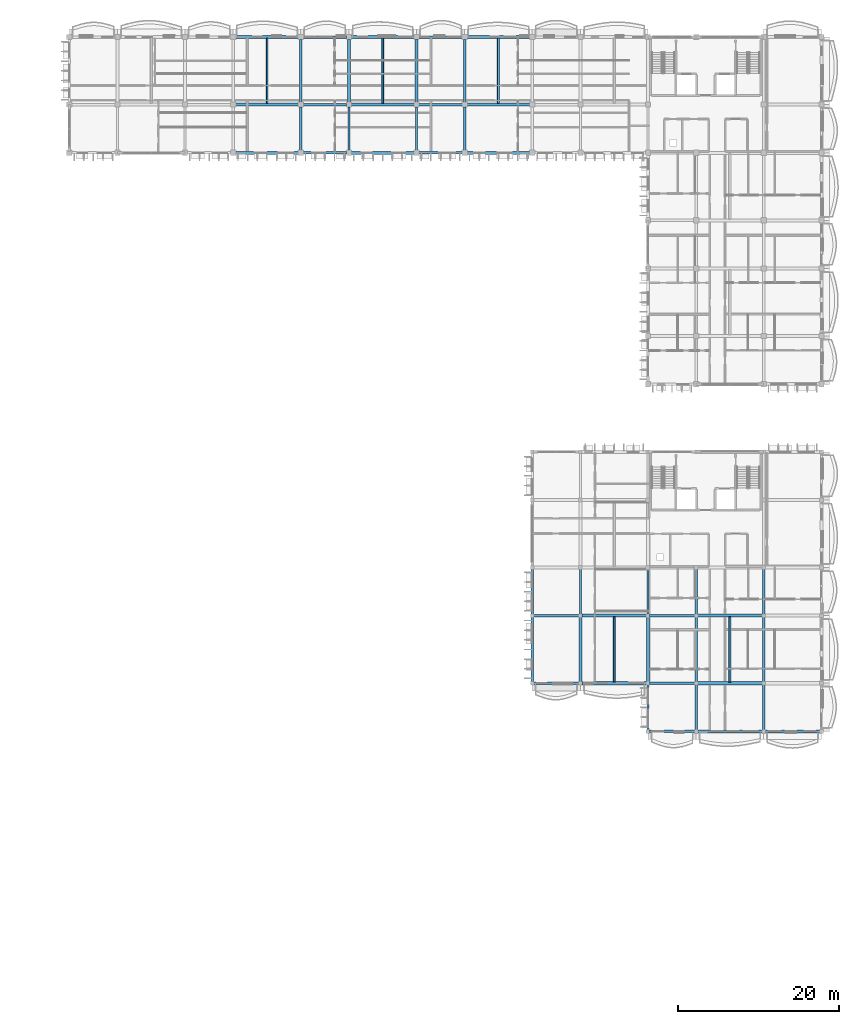
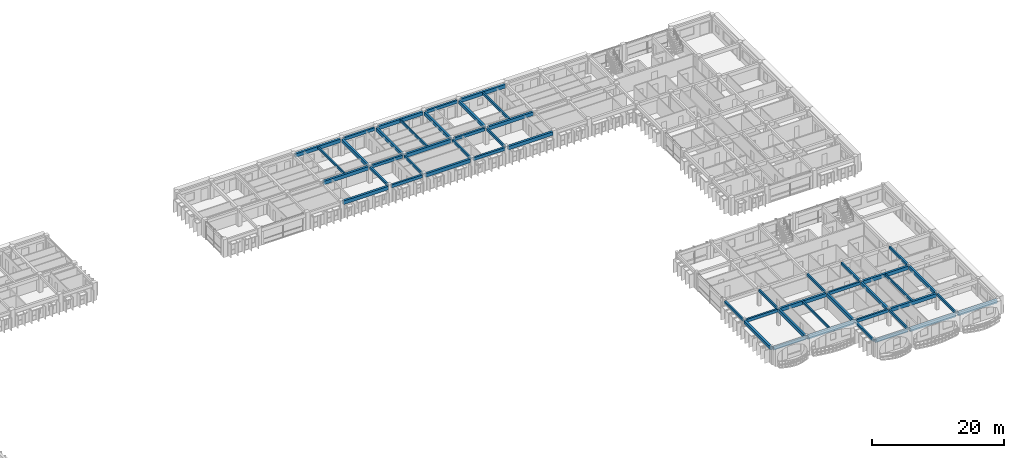
# One storey, part 12 of 76: 52 beams.
"""IFC4 building model written with IfcOpenShell, lengths in metres."""

from ifc_helpers import new_model, si_unit, direction, frame, origin, origin_2d, place, context, subcontext, project, spatial, rectangle, extrude, material, material_profile, profile_set, type_object, element, save


model = new_model("IFC4")

# Units and contexts
model_context = context("Model", 3, precision=1e-05, world=origin(), true_north=direction((0.0, 1.0)))
body_context = subcontext(model_context, "Body", "Model", "MODEL_VIEW")
ifc_project = project(units=[si_unit("LENGTHUNIT", "METRE"), si_unit("AREAUNIT", "SQUARE_METRE"), si_unit("VOLUMEUNIT", "CUBIC_METRE"), si_unit("PLANEANGLEUNIT", "RADIAN"), si_unit("MASSUNIT", "GRAM", prefix="KILO"), si_unit("THERMODYNAMICTEMPERATUREUNIT", "KELVIN")], contexts=[model_context])

# Site, building, storey
site_placement = place(None, origin())
site = spatial("IfcSite", under=ifc_project, at=site_placement, CompositionType="ELEMENT")
building_placement = place(site_placement, origin())
building = spatial("IfcBuilding", under=site, at=building_placement, Name="Thalorik Housing Commons", CompositionType="ELEMENT")
storey_placement = place(building_placement, frame((0.0, 0.0, 18.0)))
storey = spatial("IfcBuildingStorey", under=building, at=storey_placement, Name="L05", CompositionType="ELEMENT", Elevation=18.0)

# Beams
ifc_material = material(Name="Precast concrete C40/50", Category="concrete")
ifc_material_profile_1 = material_profile(ifc_material, rectangle(XDim=0.280029296875, YDim=0.449951171875, at=origin_2d()), Name="PC 280x450", Category="concrete")
ifc_profile_set_1 = profile_set([ifc_material_profile_1], Name="Precast concrete C40/50")
beam_type_1 = type_object("IfcBeamType", Name="STR-BM-PC280x450", PredefinedType="BEAM", material=ifc_profile_set_1)
for number, where, z_axis, x_axis, name in (
    (1, (109.199951171875, 109.47509765625, 2.81494140625), (0.0, 1.0, 0.0), (-1.0, 0.0, 0.0), "L05 Beam B-450"),
    (2, (115.199951171875, 109.47509765625, 2.81494140625), (0.0, 1.0, 0.0), (-1.0, 0.0, 0.0), "L05 Beam B-450"),
    (3, (123.60009765625, 109.47509765625, 2.81494140625), (0.0, 1.0, 0.0), (-1.0, 0.0, 0.0), "L05 Beam B-450"),
    (4, (129.60009765625, 109.47509765625, 2.81494140625), (0.0, 1.0, 0.0), (-1.0, 0.0, 0.0), "L05 Beam B-450"),
):
    element("IfcBeam", number, at=place(storey_placement, frame(where, z_axis=z_axis, x_axis=x_axis)), inside=storey, type_object=beam_type_1, Name=name, PredefinedType="BEAM", context=body_context, shape_type="SweptSolid", body=[
        extrude(rectangle(XDim=0.280029296875, YDim=0.449951171875, at=origin_2d()), origin(), (0.0, 0.0, 1.0), 5.449951171875),
    ])
for number, where, z_axis, x_axis, name in (
    (5, (138.0, 51.77490234375, 2.81494140625), (0.0, 1.0, 0.0), (-1.0, 0.0, 0.0), "L05 Beam B-450"),
    (6, (144.0, 51.77490234375, 2.81494140625), (0.0, 1.0, 0.0), (-1.0, 0.0, 0.0), "L05 Beam B-450"),
):
    element("IfcBeam", number, at=place(storey_placement, frame(where, z_axis=z_axis, x_axis=x_axis)), inside=storey, type_object=beam_type_1, Name=name, PredefinedType="BEAM", context=body_context, shape_type="SweptSolid", body=[
        extrude(rectangle(XDim=0.280029296875, YDim=0.449951171875, at=origin_2d()), origin(), (0.0, 0.0, 1.0), 5.650146484375),
    ])
beam_1_placement = place(storey_placement, frame((152.39990234375, 37.375, 2.81494140625), z_axis=(0.0, 1.0, 0.0), x_axis=(-1.0, 0.0, 0.0)))
element("IfcBeam", 7, at=beam_1_placement, inside=storey, type_object=beam_type_1, Name="L05 Beam B-450", PredefinedType="BEAM", context=body_context, shape_type="SweptSolid", body=[
    extrude(rectangle(XDim=0.280029296875, YDim=0.449951171875, at=origin_2d()), origin(), (0.0, 0.0, 1.0), 5.64990234375),
])
beam_2_placement = place(storey_placement, frame((152.39990234375, 51.77490234375, 2.81494140625), z_axis=(0.0, 1.0, 0.0), x_axis=(-1.0, 0.0, 0.0)))
element("IfcBeam", 8, at=beam_2_placement, inside=storey, type_object=beam_type_1, Name="L05 Beam B-450", PredefinedType="BEAM", context=body_context, shape_type="SweptSolid", body=[
    extrude(rectangle(XDim=0.280029296875, YDim=0.449951171875, at=origin_2d()), origin(), (0.0, 0.0, 1.0), 5.650146484375),
])
beam_3_placement = place(storey_placement, frame((158.39990234375, 37.375, 2.81494140625), z_axis=(0.0, 1.0, 0.0), x_axis=(-1.0, 0.0, 0.0)))
element("IfcBeam", 9, at=beam_3_placement, inside=storey, type_object=beam_type_1, Name="L05 Beam B-450", PredefinedType="BEAM", context=body_context, shape_type="SweptSolid", body=[
    extrude(rectangle(XDim=0.280029296875, YDim=0.449951171875, at=origin_2d()), origin(), (0.0, 0.0, 1.0), 5.64990234375),
])
beam_4_placement = place(storey_placement, frame((158.39990234375, 51.77490234375, 2.81494140625), z_axis=(0.0, 1.0, 0.0), x_axis=(-1.0, 0.0, 0.0)))
element("IfcBeam", 10, at=beam_4_placement, inside=storey, type_object=beam_type_1, Name="L05 Beam B-450", PredefinedType="BEAM", context=body_context, shape_type="SweptSolid", body=[
    extrude(rectangle(XDim=0.280029296875, YDim=0.449951171875, at=origin_2d()), origin(), (0.0, 0.0, 1.0), 5.650146484375),
])
beam_5_placement = place(storey_placement, frame((166.800048828125, 37.375, 2.81494140625), z_axis=(0.0, 1.0, 0.0), x_axis=(-1.0, 0.0, 0.0)))
element("IfcBeam", 11, at=beam_5_placement, inside=storey, type_object=beam_type_1, Name="L05 Beam B-450", PredefinedType="BEAM", context=body_context, shape_type="SweptSolid", body=[
    extrude(rectangle(XDim=0.280029296875, YDim=0.449951171875, at=origin_2d()), origin(), (0.0, 0.0, 1.0), 5.64990234375),
])
beam_6_placement = place(storey_placement, frame((166.800048828125, 51.77490234375, 2.81494140625), z_axis=(0.0, 1.0, 0.0), x_axis=(-1.0, 0.0, 0.0)))
element("IfcBeam", 12, at=beam_6_placement, inside=storey, type_object=beam_type_1, Name="L05 Beam B-450", PredefinedType="BEAM", context=body_context, shape_type="SweptSolid", body=[
    extrude(rectangle(XDim=0.280029296875, YDim=0.449951171875, at=origin_2d()), origin(), (0.0, 0.0, 1.0), 5.650146484375),
])
ifc_material_profile_2 = material_profile(ifc_material, rectangle(XDim=0.320068359375, YDim=0.550048828125, at=origin_2d()), Name="PC 320x550", Category="concrete")
ifc_profile_set_2 = profile_set([ifc_material_profile_2], Name="Precast concrete C40/50")
beam_type_2 = type_object("IfcBeamType", Name="STR-BM-PC320x550", PredefinedType="BEAM", material=ifc_profile_set_2)
beam_7_placement = place(storey_placement, frame((152.574951171875, 37.199951171875, 2.764892578125), z_axis=(1.0, 0.0, 0.0), x_axis=(0.0, 1.0, 0.0)))
element("IfcBeam", 13, at=beam_7_placement, inside=storey, type_object=beam_type_2, Name="L05 Beam B-550", PredefinedType="BEAM", context=body_context, shape_type="SweptSolid", body=[
    extrude(rectangle(XDim=0.320068359375, YDim=0.550048828125, at=origin_2d()), origin(), (0.0, 0.0, 1.0), 5.650146484375),
])
beam_8_placement = place(storey_placement, frame((138.175048828125, 43.199951171875, 2.764892578125), z_axis=(1.0, 0.0, 0.0), x_axis=(0.0, 1.0, 0.0)))
element("IfcBeam", 14, at=beam_8_placement, inside=storey, type_object=beam_type_2, Name="L05 Beam B-550", PredefinedType="BEAM", context=body_context, shape_type="SweptSolid", body=[
    extrude(rectangle(XDim=0.320068359375, YDim=0.550048828125, at=origin_2d()), origin(), (0.0, 0.0, 1.0), 5.64990234375),
])
beam_9_placement = place(storey_placement, frame((152.574951171875, 43.199951171875, 2.764892578125), z_axis=(1.0, 0.0, 0.0), x_axis=(0.0, 1.0, 0.0)))
element("IfcBeam", 15, at=beam_9_placement, inside=storey, type_object=beam_type_2, Name="L05 Beam B-550", PredefinedType="BEAM", context=body_context, shape_type="SweptSolid", body=[
    extrude(rectangle(XDim=0.320068359375, YDim=0.550048828125, at=origin_2d()), origin(), (0.0, 0.0, 1.0), 5.650146484375),
])
beam_10_placement = place(storey_placement, frame((138.175048828125, 51.60009765625, 2.764892578125), z_axis=(1.0, 0.0, 0.0), x_axis=(0.0, 1.0, 0.0)))
element("IfcBeam", 16, at=beam_10_placement, inside=storey, type_object=beam_type_2, Name="L05 Beam B-550", PredefinedType="BEAM", context=body_context, shape_type="SweptSolid", body=[
    extrude(rectangle(XDim=0.320068359375, YDim=0.550048828125, at=origin_2d()), origin(), (0.0, 0.0, 1.0), 5.64990234375),
])
beam_11_placement = place(storey_placement, frame((152.574951171875, 51.60009765625, 2.764892578125), z_axis=(1.0, 0.0, 0.0), x_axis=(0.0, 1.0, 0.0)))
element("IfcBeam", 17, at=beam_11_placement, inside=storey, type_object=beam_type_2, Name="L05 Beam B-550", PredefinedType="BEAM", context=body_context, shape_type="SweptSolid", body=[
    extrude(rectangle(XDim=0.320068359375, YDim=0.550048828125, at=origin_2d()), origin(), (0.0, 0.0, 1.0), 5.650146484375),
])
for number, where, z_axis, x_axis, name in (
    (18, (109.47509765625, 109.199951171875, 2.764892578125), (1.0, 0.0, 0.0), (0.0, 1.0, 0.0), "L05 Beam B-550"),
    (19, (123.875, 109.199951171875, 2.764892578125), (1.0, 0.0, 0.0), (0.0, 1.0, 0.0), "L05 Beam B-550"),
    (20, (109.47509765625, 115.199951171875, 2.764892578125), (1.0, 0.0, 0.0), (0.0, 1.0, 0.0), "L05 Beam B-550"),
    (21, (123.875, 115.199951171875, 2.764892578125), (1.0, 0.0, 0.0), (0.0, 1.0, 0.0), "L05 Beam B-550"),
    (22, (109.47509765625, 123.60009765625, 2.764892578125), (1.0, 0.0, 0.0), (0.0, 1.0, 0.0), "L05 Beam B-550"),
    (23, (123.875, 123.60009765625, 2.764892578125), (1.0, 0.0, 0.0), (0.0, 1.0, 0.0), "L05 Beam B-550"),
):
    element("IfcBeam", number, at=place(storey_placement, frame(where, z_axis=z_axis, x_axis=x_axis)), inside=storey, type_object=beam_type_2, Name=name, PredefinedType="BEAM", context=body_context, shape_type="SweptSolid", body=[
        extrude(rectangle(XDim=0.320068359375, YDim=0.550048828125, at=origin_2d()), origin(), (0.0, 0.0, 1.0), 5.449951171875),
    ])
ifc_material_profile_3 = material_profile(ifc_material, rectangle(XDim=0.35009765625, YDim=0.60009765625, at=origin_2d()), Name="PC 350x600", Category="concrete")
ifc_profile_set_3 = profile_set([ifc_material_profile_3], Name="Precast concrete C40/50")
beam_type_3 = type_object("IfcBeamType", Name="STR-BM-PC350x600", PredefinedType="BEAM", material=ifc_profile_set_3)
for number, where, z_axis, x_axis, name in (
    (24, (109.199951171875, 115.47509765625, 2.739990234375), (0.0, 1.0, 0.0), (-1.0, 0.0, 0.0), "L05 Beam B-600"),
    (25, (115.199951171875, 115.47509765625, 2.739990234375), (0.0, 1.0, 0.0), (-1.0, 0.0, 0.0), "L05 Beam B-600"),
    (26, (123.60009765625, 115.47509765625, 2.739990234375), (0.0, 1.0, 0.0), (-1.0, 0.0, 0.0), "L05 Beam B-600"),
    (27, (129.60009765625, 115.47509765625, 2.739990234375), (0.0, 1.0, 0.0), (-1.0, 0.0, 0.0), "L05 Beam B-600"),
):
    element("IfcBeam", number, at=place(storey_placement, frame(where, z_axis=z_axis, x_axis=x_axis)), inside=storey, type_object=beam_type_3, Name=name, PredefinedType="BEAM", context=body_context, shape_type="SweptSolid", body=[
        extrude(rectangle(XDim=0.35009765625, YDim=0.60009765625, at=origin_2d()), origin(), (0.0, 0.0, 1.0), 7.849853515625),
    ])
for number, where, z_axis, x_axis, name in (
    (28, (138.0, 43.375, 2.739990234375), (0.0, 1.0, 0.0), (-1.0, 0.0, 0.0), "L05 Beam B-600"),
    (29, (144.0, 43.375, 2.739990234375), (0.0, 1.0, 0.0), (-1.0, 0.0, 0.0), "L05 Beam B-600"),
    (30, (152.39990234375, 43.375, 2.739990234375), (0.0, 1.0, 0.0), (-1.0, 0.0, 0.0), "L05 Beam B-600"),
    (31, (158.39990234375, 43.375, 2.739990234375), (0.0, 1.0, 0.0), (-1.0, 0.0, 0.0), "L05 Beam B-600"),
    (32, (166.800048828125, 43.375, 2.739990234375), (0.0, 1.0, 0.0), (-1.0, 0.0, 0.0), "L05 Beam B-600"),
):
    element("IfcBeam", number, at=place(storey_placement, frame(where, z_axis=z_axis, x_axis=x_axis)), inside=storey, type_object=beam_type_3, Name=name, PredefinedType="BEAM", context=body_context, shape_type="SweptSolid", body=[
        extrude(rectangle(XDim=0.35009765625, YDim=0.60009765625, at=origin_2d()), origin(), (0.0, 0.0, 1.0), 8.050048828125),
    ])
ifc_material_profile_4 = material_profile(ifc_material, rectangle(XDim=0.3798828125, YDim=0.64990234375, at=origin_2d()), Name="PC 380x650", Category="concrete")
ifc_profile_set_4 = profile_set([ifc_material_profile_4], Name="Precast concrete C40/50")
beam_type_4 = type_object("IfcBeamType", Name="STR-BM-PC380x650", PredefinedType="BEAM", material=ifc_profile_set_4)
beam_12_placement = place(storey_placement, frame((158.574951171875, 37.199951171875, 2.715087890625), z_axis=(1.0, 0.0, 0.0), x_axis=(0.0, 1.0, 0.0)))
element("IfcBeam", 33, at=beam_12_placement, inside=storey, type_object=beam_type_4, Name="L05 Beam B-650", PredefinedType="BEAM", context=body_context, shape_type="SweptSolid", body=[
    extrude(rectangle(XDim=0.3798828125, YDim=0.64990234375, at=origin_2d()), origin(), (0.0, 0.0, 1.0), 8.050048828125),
])
beam_13_placement = place(storey_placement, frame((166.97509765625, 37.199951171875, 2.715087890625), z_axis=(1.0, 0.0, 0.0), x_axis=(0.0, 1.0, 0.0)))
element("IfcBeam", 34, at=beam_13_placement, inside=storey, type_object=beam_type_4, Name="L05 Beam B-650", PredefinedType="BEAM", context=body_context, shape_type="SweptSolid", body=[
    extrude(rectangle(XDim=0.3798828125, YDim=0.64990234375, at=origin_2d()), origin(), (0.0, 0.0, 1.0), 6.849853515625),
])
for number, where, z_axis, x_axis, name in (
    (35, (144.175048828125, 43.199951171875, 2.715087890625), (1.0, 0.0, 0.0), (0.0, 1.0, 0.0), "L05 Beam B-650"),
    (36, (158.574951171875, 43.199951171875, 2.715087890625), (1.0, 0.0, 0.0), (0.0, 1.0, 0.0), "L05 Beam B-650"),
    (37, (144.175048828125, 51.60009765625, 2.715087890625), (1.0, 0.0, 0.0), (0.0, 1.0, 0.0), "L05 Beam B-650"),
    (38, (158.574951171875, 51.60009765625, 2.715087890625), (1.0, 0.0, 0.0), (0.0, 1.0, 0.0), "L05 Beam B-650"),
):
    element("IfcBeam", number, at=place(storey_placement, frame(where, z_axis=z_axis, x_axis=x_axis)), inside=storey, type_object=beam_type_4, Name=name, PredefinedType="BEAM", context=body_context, shape_type="SweptSolid", body=[
        extrude(rectangle(XDim=0.3798828125, YDim=0.64990234375, at=origin_2d()), origin(), (0.0, 0.0, 1.0), 8.050048828125),
    ])
beam_14_placement = place(storey_placement, frame((101.074951171875, 109.199951171875, 2.715087890625), z_axis=(1.0, 0.0, 0.0), x_axis=(0.0, 1.0, 0.0)))
element("IfcBeam", 39, at=beam_14_placement, inside=storey, type_object=beam_type_4, Name="L05 Beam B-650", PredefinedType="BEAM", context=body_context, shape_type="SweptSolid", body=[
    extrude(rectangle(XDim=0.3798828125, YDim=0.64990234375, at=origin_2d()), origin(), (0.0, 0.0, 1.0), 7.85009765625),
])
beam_15_placement = place(storey_placement, frame((115.47509765625, 109.199951171875, 2.715087890625), z_axis=(1.0, 0.0, 0.0), x_axis=(0.0, 1.0, 0.0)))
element("IfcBeam", 40, at=beam_15_placement, inside=storey, type_object=beam_type_4, Name="L05 Beam B-650", PredefinedType="BEAM", context=body_context, shape_type="SweptSolid", body=[
    extrude(rectangle(XDim=0.3798828125, YDim=0.64990234375, at=origin_2d()), origin(), (0.0, 0.0, 1.0), 7.849853515625),
])
for number, where, z_axis, x_axis, name in (
    (41, (129.875, 109.199951171875, 2.715087890625), (1.0, 0.0, 0.0), (0.0, 1.0, 0.0), "L05 Beam B-650"),
    (42, (101.074951171875, 115.199951171875, 2.715087890625), (1.0, 0.0, 0.0), (0.0, 1.0, 0.0), "L05 Beam B-650"),
):
    element("IfcBeam", number, at=place(storey_placement, frame(where, z_axis=z_axis, x_axis=x_axis)), inside=storey, type_object=beam_type_4, Name=name, PredefinedType="BEAM", context=body_context, shape_type="SweptSolid", body=[
        extrude(rectangle(XDim=0.3798828125, YDim=0.64990234375, at=origin_2d()), origin(), (0.0, 0.0, 1.0), 7.85009765625),
    ])
beam_16_placement = place(storey_placement, frame((115.47509765625, 115.199951171875, 2.715087890625), z_axis=(1.0, 0.0, 0.0), x_axis=(0.0, 1.0, 0.0)))
element("IfcBeam", 43, at=beam_16_placement, inside=storey, type_object=beam_type_4, Name="L05 Beam B-650", PredefinedType="BEAM", context=body_context, shape_type="SweptSolid", body=[
    extrude(rectangle(XDim=0.3798828125, YDim=0.64990234375, at=origin_2d()), origin(), (0.0, 0.0, 1.0), 7.849853515625),
])
for number, where, z_axis, x_axis, name in (
    (44, (129.875, 115.199951171875, 2.715087890625), (1.0, 0.0, 0.0), (0.0, 1.0, 0.0), "L05 Beam B-650"),
    (45, (101.074951171875, 123.60009765625, 2.715087890625), (1.0, 0.0, 0.0), (0.0, 1.0, 0.0), "L05 Beam B-650"),
):
    element("IfcBeam", number, at=place(storey_placement, frame(where, z_axis=z_axis, x_axis=x_axis)), inside=storey, type_object=beam_type_4, Name=name, PredefinedType="BEAM", context=body_context, shape_type="SweptSolid", body=[
        extrude(rectangle(XDim=0.3798828125, YDim=0.64990234375, at=origin_2d()), origin(), (0.0, 0.0, 1.0), 7.85009765625),
    ])
beam_17_placement = place(storey_placement, frame((115.47509765625, 123.60009765625, 2.715087890625), z_axis=(1.0, 0.0, 0.0), x_axis=(0.0, 1.0, 0.0)))
element("IfcBeam", 46, at=beam_17_placement, inside=storey, type_object=beam_type_4, Name="L05 Beam B-650", PredefinedType="BEAM", context=body_context, shape_type="SweptSolid", body=[
    extrude(rectangle(XDim=0.3798828125, YDim=0.64990234375, at=origin_2d()), origin(), (0.0, 0.0, 1.0), 7.849853515625),
])
beam_18_placement = place(storey_placement, frame((129.875, 123.60009765625, 2.715087890625), z_axis=(1.0, 0.0, 0.0), x_axis=(0.0, 1.0, 0.0)))
element("IfcBeam", 47, at=beam_18_placement, inside=storey, type_object=beam_type_4, Name="L05 Beam B-650", PredefinedType="BEAM", context=body_context, shape_type="SweptSolid", body=[
    extrude(rectangle(XDim=0.3798828125, YDim=0.64990234375, at=origin_2d()), origin(), (0.0, 0.0, 1.0), 7.85009765625),
])
ifc_material_profile_5 = material_profile(ifc_material, rectangle(XDim=0.239990234375, YDim=0.43994140625, at=origin_2d()), Name="PC JST 240x440", Category="concrete")
ifc_profile_set_5 = profile_set([ifc_material_profile_5], Name="Precast concrete C40/50")
beam_type_5 = type_object("IfcBeamType", Name="STR-JST-PC240x440", PredefinedType="JOIST", material=ifc_profile_set_5)
for number, where, z_axis, x_axis, name in (
    (48, (148.199951171875, 43.340087890625, 2.820068359375), (0.0, 1.0, 0.0), (-1.0, 0.0, 0.0), "L05 Beam J-440"),
    (49, (162.60009765625, 43.340087890625, 2.820068359375), (0.0, 1.0, 0.0), (-1.0, 0.0, 0.0), "L05 Beam J-440"),
    (50, (105.0, 115.340087890625, 2.820068359375), (0.0, 1.0, 0.0), (-1.0, 0.0, 0.0), "L05 Beam J-440"),
    (51, (119.39990234375, 115.340087890625, 2.820068359375), (0.0, 1.0, 0.0), (-1.0, 0.0, 0.0), "L05 Beam J-440"),
    (52, (133.800048828125, 115.340087890625, 2.820068359375), (0.0, 1.0, 0.0), (-1.0, 0.0, 0.0), "L05 Beam J-440"),
):
    element("IfcBeam", number, at=place(storey_placement, frame(where, z_axis=z_axis, x_axis=x_axis)), inside=storey, type_object=beam_type_5, Name=name, PredefinedType="JOIST", context=body_context, shape_type="SweptSolid", body=[
        extrude(rectangle(XDim=0.239990234375, YDim=0.43994140625, at=origin_2d()), origin(), (0.0, 0.0, 1.0), 8.119873046875),
    ])

save(model, "model.ifc")
